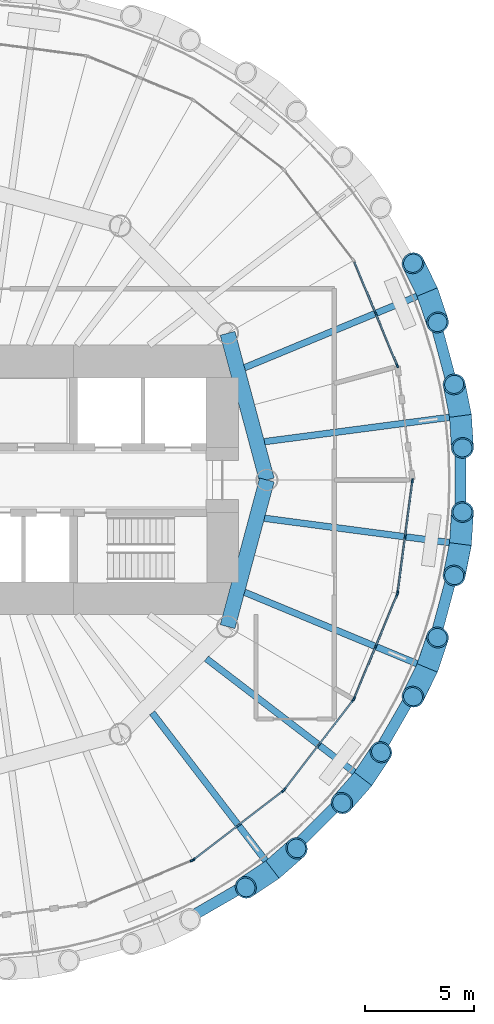
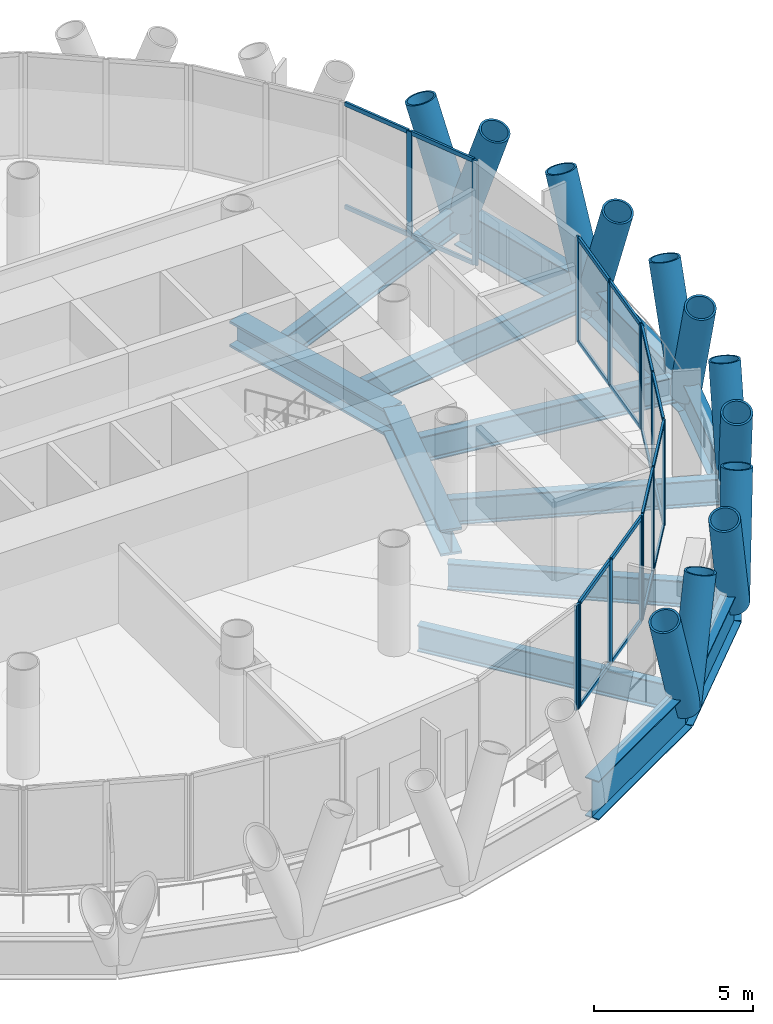
# One storey, part 4 of 13: 47 members, 14 beams, 6 elements without a shape of their own.
"""IFC4 building model written with IfcOpenShell, lengths in metres."""

from ifc_helpers import new_model, si_unit, direction, frame, origin, origin_2d, place, context, subcontext, project, spatial, rectangle, hollow_circle, i_section, extrude, material, material_profile, profile_set, type_object, element, aggregate, save


model = new_model("IFC4")

# Units and contexts
model_context = context("Model", 3, precision=1e-05, world=origin(), true_north=direction((0.0, 1.0)))
body_context = subcontext(model_context, "Body", "Model", "MODEL_VIEW")
ifc_project = project(units=[si_unit("LENGTHUNIT", "METRE"), si_unit("AREAUNIT", "SQUARE_METRE"), si_unit("VOLUMEUNIT", "CUBIC_METRE"), si_unit("PLANEANGLEUNIT", "RADIAN"), si_unit("MASSUNIT", "GRAM", prefix="KILO")], contexts=[model_context])

# Site, building, storey
site_placement = place(None, origin())
site = spatial("IfcSite", under=ifc_project, at=site_placement, CompositionType="ELEMENT")
building_placement = place(site_placement, origin())
building = spatial("IfcBuilding", under=site, at=building_placement, Name="Qaws Media Tower", CompositionType="ELEMENT")
storey_placement = place(building_placement, frame((0.0, 0.0, 219.199951171875)))
storey = spatial("IfcBuildingStorey", under=building, at=storey_placement, Name="L50", CompositionType="ELEMENT", Elevation=219.199951171875)

# Curtain wall, members
ifc_material_1 = material(Name="Aluminium and clear glass", Category="aluminium")
curtain_wall_type = type_object("IfcCurtainWallType", Name="Unitised curtain wall CW-C", PredefinedType="NOTDEFINED", material=ifc_material_1)
curtain_wall_1_placement = place(storey_placement, origin())
curtain_wall_1 = element("IfcCurtainWall", 1, at=curtain_wall_1_placement, inside=storey, type_object=curtain_wall_type, Name="CWC curtain wall L50-02", PredefinedType="NOTDEFINED")
ifc_material_2 = material(Name="Aluminium mullion", Category="aluminium")
ifc_material_profile_1 = material_profile(ifc_material_2, rectangle(XDim=0.080078125, YDim=0.199951171875, at=origin_2d()), Name="80x200")
ifc_profile_set_1 = profile_set([ifc_material_profile_1], Name="Aluminium mullion")
member_type_1 = type_object("IfcMemberType", Name="Curtain wall mullion 80x200", PredefinedType="MULLION", material=ifc_profile_set_1)
member_1_placement = place(storey_placement, frame((79.496337890625, 55.26513671875, 0.0), z_axis=(0.0, 0.0, 1.0), x_axis=(-0.923879493285, -0.382683527066, 0.0)))
member_1 = element("IfcMember", 2, at=member_1_placement, type_object=member_type_1, Name="CWC mullion 1", PredefinedType="MULLION", context=body_context, shape_type="SweptSolid", body=[
    extrude(rectangle(XDim=0.080078125, YDim=0.199951171875, at=origin_2d()), origin(), (0.0, 0.0, 1.0), 4.0400390625),
])
member_2_placement = place(storey_placement, frame((78.502685546875, 57.6640625, 0.0), z_axis=(0.0, 0.0, 1.0), x_axis=(-0.923879493285, -0.382683527066, 0.0)))
member_2 = element("IfcMember", 3, at=member_2_placement, type_object=member_type_1, Name="CWC mullion 2", PredefinedType="MULLION", context=body_context, shape_type="SweptSolid", body=[
    extrude(rectangle(XDim=0.080078125, YDim=0.199951171875, at=origin_2d()), origin(), (0.0, 0.0, 1.0), 4.0400390625),
])

# Curtain wall, member
curtain_wall_2_placement = place(storey_placement, origin())
curtain_wall_2 = element("IfcCurtainWall", 4, at=curtain_wall_2_placement, inside=storey, type_object=curtain_wall_type, Name="CWC curtain wall L50-20", PredefinedType="NOTDEFINED")
member_3_placement = place(storey_placement, frame((70.06298828125, 32.490966796875, 0.0), z_axis=(0.0, 0.0, 1.0), x_axis=(-0.382683527066, 0.923879493285, 0.0)))
member_3 = element("IfcMember", 5, at=member_3_placement, type_object=member_type_1, Name="CWC mullion 3", PredefinedType="MULLION", context=body_context, shape_type="SweptSolid", body=[
    extrude(rectangle(XDim=0.080078125, YDim=0.199951171875, at=origin_2d()), origin(), (0.0, 0.0, 1.0), 4.0400390625),
])
aggregate(curtain_wall_2, [member_3])

# Curtain wall, members
curtain_wall_3_placement = place(storey_placement, origin())
curtain_wall_3 = element("IfcCurtainWall", 6, at=curtain_wall_3_placement, inside=storey, type_object=curtain_wall_type, Name="CWC curtain wall L50-21", PredefinedType="NOTDEFINED")
member_4_placement = place(storey_placement, frame((70.1318359375, 32.530517578125, 0.0), z_axis=(0.0, 0.0, 1.0), x_axis=(-0.608761406106, 0.793353357865, 0.0)))
member_4 = element("IfcMember", 7, at=member_4_placement, type_object=member_type_1, Name="CWC mullion 1", PredefinedType="MULLION", context=body_context, shape_type="SweptSolid", body=[
    extrude(rectangle(XDim=0.080078125, YDim=0.199951171875, at=origin_2d()), origin(), (0.0, 0.0, 1.0), 4.0400390625),
])
member_5_placement = place(storey_placement, frame((72.19189453125, 34.111328125, 0.0), z_axis=(0.0, 0.0, 1.0), x_axis=(-0.608761406106, 0.793353357865, 0.0)))
member_5 = element("IfcMember", 8, at=member_5_placement, type_object=member_type_1, Name="CWC mullion 2", PredefinedType="MULLION", context=body_context, shape_type="SweptSolid", body=[
    extrude(rectangle(XDim=0.080078125, YDim=0.199951171875, at=origin_2d()), origin(), (0.0, 0.0, 1.0), 4.0400390625),
])
member_6_placement = place(storey_placement, frame((74.251708984375, 35.692138671875, 0.0), z_axis=(0.0, 0.0, 1.0), x_axis=(-0.608761406106, 0.793353357865, 0.0)))
member_6 = element("IfcMember", 9, at=member_6_placement, type_object=member_type_1, Name="CWC mullion 3", PredefinedType="MULLION", context=body_context, shape_type="SweptSolid", body=[
    extrude(rectangle(XDim=0.080078125, YDim=0.199951171875, at=origin_2d()), origin(), (0.0, 0.0, 1.0), 4.0400390625),
])

curtain_wall_4_placement = place(storey_placement, origin())
curtain_wall_4 = element("IfcCurtainWall", 10, at=curtain_wall_4_placement, inside=storey, type_object=curtain_wall_type, Name="CWC curtain wall L50-22", PredefinedType="NOTDEFINED")
member_7_placement = place(storey_placement, frame((74.307861328125, 35.748291015625, 0.0), z_axis=(0.0, 0.0, 1.0), x_axis=(-0.793353357865, 0.608761406106, 0.0)))
member_7 = element("IfcMember", 11, at=member_7_placement, type_object=member_type_1, Name="CWC mullion 1", PredefinedType="MULLION", context=body_context, shape_type="SweptSolid", body=[
    extrude(rectangle(XDim=0.080078125, YDim=0.199951171875, at=origin_2d()), origin(), (0.0, 0.0, 1.0), 4.0400390625),
])
member_8_placement = place(storey_placement, frame((75.888671875, 37.80810546875, 0.0), z_axis=(0.0, 0.0, 1.0), x_axis=(-0.793353357865, 0.608761406106, 0.0)))
member_8 = element("IfcMember", 12, at=member_8_placement, type_object=member_type_1, Name="CWC mullion 2", PredefinedType="MULLION", context=body_context, shape_type="SweptSolid", body=[
    extrude(rectangle(XDim=0.080078125, YDim=0.199951171875, at=origin_2d()), origin(), (0.0, 0.0, 1.0), 4.0400390625),
])
member_9_placement = place(storey_placement, frame((77.469482421875, 39.8681640625, 0.0), z_axis=(0.0, 0.0, 1.0), x_axis=(-0.793353357865, 0.608761406106, 0.0)))
member_9 = element("IfcMember", 13, at=member_9_placement, type_object=member_type_1, Name="CWC mullion 3", PredefinedType="MULLION", context=body_context, shape_type="SweptSolid", body=[
    extrude(rectangle(XDim=0.080078125, YDim=0.199951171875, at=origin_2d()), origin(), (0.0, 0.0, 1.0), 4.0400390625),
])

curtain_wall_5_placement = place(storey_placement, origin())
curtain_wall_5 = element("IfcCurtainWall", 14, at=curtain_wall_5_placement, inside=storey, type_object=curtain_wall_type, Name="CWC curtain wall L50-23", PredefinedType="NOTDEFINED")
member_10_placement = place(storey_placement, frame((77.509033203125, 39.93701171875, 0.0), z_axis=(0.0, 0.0, 1.0), x_axis=(-0.923879493285, 0.382683527066, 0.0)))
member_10 = element("IfcMember", 15, at=member_10_placement, type_object=member_type_1, Name="CWC mullion 1", PredefinedType="MULLION", context=body_context, shape_type="SweptSolid", body=[
    extrude(rectangle(XDim=0.080078125, YDim=0.199951171875, at=origin_2d()), origin(), (0.0, 0.0, 1.0), 4.0400390625),
])
member_11_placement = place(storey_placement, frame((78.502685546875, 42.3359375, 0.0), z_axis=(0.0, 0.0, 1.0), x_axis=(-0.923879493285, 0.382683527066, 0.0)))
member_11 = element("IfcMember", 16, at=member_11_placement, type_object=member_type_1, Name="CWC mullion 2", PredefinedType="MULLION", context=body_context, shape_type="SweptSolid", body=[
    extrude(rectangle(XDim=0.080078125, YDim=0.199951171875, at=origin_2d()), origin(), (0.0, 0.0, 1.0), 4.0400390625),
])
member_12_placement = place(storey_placement, frame((79.496337890625, 44.73486328125, 0.0), z_axis=(0.0, 0.0, 1.0), x_axis=(-0.923879493285, 0.382683527066, 0.0)))
member_12 = element("IfcMember", 17, at=member_12_placement, type_object=member_type_1, Name="CWC mullion 3", PredefinedType="MULLION", context=body_context, shape_type="SweptSolid", body=[
    extrude(rectangle(XDim=0.080078125, YDim=0.199951171875, at=origin_2d()), origin(), (0.0, 0.0, 1.0), 4.0400390625),
])

curtain_wall_6_placement = place(storey_placement, origin())
curtain_wall_6 = element("IfcCurtainWall", 18, at=curtain_wall_6_placement, inside=storey, type_object=curtain_wall_type, Name="CWC curtain wall L50-24", PredefinedType="NOTDEFINED")
member_13_placement = place(storey_placement, frame((79.516845703125, 44.8115234375, 0.0), z_axis=(0.0, 0.0, 1.0), x_axis=(-0.991444869889, 0.130526127538, 0.0)))
member_13 = element("IfcMember", 19, at=member_13_placement, type_object=member_type_1, Name="CWC mullion 1", PredefinedType="MULLION", context=body_context, shape_type="SweptSolid", body=[
    extrude(rectangle(XDim=0.080078125, YDim=0.199951171875, at=origin_2d()), origin(), (0.0, 0.0, 1.0), 4.0400390625),
])
member_14_placement = place(storey_placement, frame((79.85595703125, 47.385986328125, 0.0), z_axis=(0.0, 0.0, 1.0), x_axis=(-0.991444869889, 0.130526127538, 0.0)))
member_14 = element("IfcMember", 20, at=member_14_placement, type_object=member_type_1, Name="CWC mullion 2", PredefinedType="MULLION", context=body_context, shape_type="SweptSolid", body=[
    extrude(rectangle(XDim=0.080078125, YDim=0.199951171875, at=origin_2d()), origin(), (0.0, 0.0, 1.0), 4.0400390625),
])
member_15_placement = place(storey_placement, frame((80.19482421875, 49.96044921875, 0.0), z_axis=(0.0, 0.0, 1.0), x_axis=(-0.991444869889, 0.130526127538, 0.0)))
member_15 = element("IfcMember", 21, at=member_15_placement, type_object=member_type_1, Name="CWC mullion 3", PredefinedType="MULLION", context=body_context, shape_type="SweptSolid", body=[
    extrude(rectangle(XDim=0.080078125, YDim=0.199951171875, at=origin_2d()), origin(), (0.0, 0.0, 1.0), 4.0400390625),
])

# Member
ifc_material_3 = material(Name="Aluminium transom", Category="aluminium")
ifc_material_profile_2 = material_profile(ifc_material_3, rectangle(XDim=0.080078125, YDim=0.159912109375, at=origin_2d()), Name="80x160")
ifc_profile_set_2 = profile_set([ifc_material_profile_2], Name="Aluminium transom")
member_type_2 = type_object("IfcMemberType", Name="Curtain wall transom 80x160", PredefinedType="USERDEFINED", material=ifc_profile_set_2)
member_16_placement = place(storey_placement, frame((79.481201171875, 55.302001953125, 0.0400390625), z_axis=(-0.382685918986, 0.923878502515, 0.0), x_axis=(-0.923878502515, -0.382685918986, 0.0)))
member_16 = element("IfcMember", 22, at=member_16_placement, type_object=member_type_2, Name="CWC transom 1.1", ObjectType="TRANSOM", PredefinedType="USERDEFINED", context=body_context, shape_type="SweptSolid", body=[
    extrude(rectangle(XDim=0.080078125, YDim=0.159912109375, at=origin_2d()), origin(), (0.0, 0.0, 1.0), 2.516845703125),
])

member_17_placement = place(storey_placement, frame((79.481201171875, 55.302001953125, 4.0), z_axis=(-0.382685918986, 0.923878502515, 0.0), x_axis=(-0.923878502515, -0.382685918986, 0.0)))
member_17 = element("IfcMember", 23, at=member_17_placement, type_object=member_type_2, Name="CWC transom 1.2", ObjectType="TRANSOM", PredefinedType="USERDEFINED", context=body_context, shape_type="SweptSolid", body=[
    extrude(rectangle(XDim=0.080078125, YDim=0.159912109375, at=origin_2d()), origin(), (0.0, 0.0, 1.0), 2.516845703125),
])

member_18_placement = place(storey_placement, frame((78.4873046875, 57.700927734375, 0.0400390625), z_axis=(-0.382603115355, 0.923912796816, 0.0), x_axis=(-0.923912796816, -0.382603115355, 0.0)))
member_18 = element("IfcMember", 24, at=member_18_placement, type_object=member_type_2, Name="CWC transom 2.1", ObjectType="TRANSOM", PredefinedType="USERDEFINED", context=body_context, shape_type="SweptSolid", body=[
    extrude(rectangle(XDim=0.080078125, YDim=0.159912109375, at=origin_2d()), origin(), (0.0, 0.0, 1.0), 2.5166015625),
])

member_19_placement = place(storey_placement, frame((78.4873046875, 57.700927734375, 4.0), z_axis=(-0.382603115355, 0.923912796816, 0.0), x_axis=(-0.923912796816, -0.382603115355, 0.0)))
member_19 = element("IfcMember", 25, at=member_19_placement, type_object=member_type_2, Name="CWC transom 2.2", ObjectType="TRANSOM", PredefinedType="USERDEFINED", context=body_context, shape_type="SweptSolid", body=[
    extrude(rectangle(XDim=0.080078125, YDim=0.159912109375, at=origin_2d()), origin(), (0.0, 0.0, 1.0), 2.5166015625),
])

aggregate(curtain_wall_1, [member_1, member_2, member_16, member_17, member_18, member_19])

member_20_placement = place(storey_placement, frame((70.16357421875, 32.554931640625, 0.0400390625), z_axis=(0.793362715866, 0.608749210327, 0.0), x_axis=(-0.608749210327, 0.793362715866, 0.0)))
member_20 = element("IfcMember", 26, at=member_20_placement, type_object=member_type_2, Name="CWC transom 1.1", ObjectType="TRANSOM", PredefinedType="USERDEFINED", context=body_context, shape_type="SweptSolid", body=[
    extrude(rectangle(XDim=0.080078125, YDim=0.159912109375, at=origin_2d()), origin(), (0.0, 0.0, 1.0), 2.5166015625),
])

member_21_placement = place(storey_placement, frame((70.16357421875, 32.554931640625, 4.0), z_axis=(0.793362715866, 0.608749210327, 0.0), x_axis=(-0.608749210327, 0.793362715866, 0.0)))
member_21 = element("IfcMember", 27, at=member_21_placement, type_object=member_type_2, Name="CWC transom 1.2", ObjectType="TRANSOM", PredefinedType="USERDEFINED", context=body_context, shape_type="SweptSolid", body=[
    extrude(rectangle(XDim=0.080078125, YDim=0.159912109375, at=origin_2d()), origin(), (0.0, 0.0, 1.0), 2.5166015625),
])

member_22_placement = place(storey_placement, frame((72.2236328125, 34.1357421875, 0.0400390625), z_axis=(0.793326761499, 0.608796065599, 0.0), x_axis=(-0.608796065599, 0.793326761499, 0.0)))
member_22 = element("IfcMember", 28, at=member_22_placement, type_object=member_type_2, Name="CWC transom 2.1", ObjectType="TRANSOM", PredefinedType="USERDEFINED", context=body_context, shape_type="SweptSolid", body=[
    extrude(rectangle(XDim=0.080078125, YDim=0.159912109375, at=origin_2d()), origin(), (0.0, 0.0, 1.0), 2.516357421875),
])

member_23_placement = place(storey_placement, frame((72.2236328125, 34.1357421875, 4.0), z_axis=(0.793326761499, 0.608796065599, 0.0), x_axis=(-0.608796065599, 0.793326761499, 0.0)))
member_23 = element("IfcMember", 29, at=member_23_placement, type_object=member_type_2, Name="CWC transom 2.2", ObjectType="TRANSOM", PredefinedType="USERDEFINED", context=body_context, shape_type="SweptSolid", body=[
    extrude(rectangle(XDim=0.080078125, YDim=0.159912109375, at=origin_2d()), origin(), (0.0, 0.0, 1.0), 2.516357421875),
])

aggregate(curtain_wall_3, [member_4, member_5, member_6, member_20, member_21, member_22, member_23])

member_24_placement = place(storey_placement, frame((74.332275390625, 35.780029296875, 0.0400390625), z_axis=(0.608796065599, 0.793326761499, 0.0), x_axis=(-0.793326761499, 0.608796065599, 0.0)))
member_24 = element("IfcMember", 30, at=member_24_placement, type_object=member_type_2, Name="CWC transom 1.1", ObjectType="TRANSOM", PredefinedType="USERDEFINED", context=body_context, shape_type="SweptSolid", body=[
    extrude(rectangle(XDim=0.080078125, YDim=0.159912109375, at=origin_2d()), origin(), (0.0, 0.0, 1.0), 2.516357421875),
])

member_25_placement = place(storey_placement, frame((74.332275390625, 35.780029296875, 4.0), z_axis=(0.608796065599, 0.793326761499, 0.0), x_axis=(-0.793326761499, 0.608796065599, 0.0)))
member_25 = element("IfcMember", 31, at=member_25_placement, type_object=member_type_2, Name="CWC transom 1.2", ObjectType="TRANSOM", PredefinedType="USERDEFINED", context=body_context, shape_type="SweptSolid", body=[
    extrude(rectangle(XDim=0.080078125, YDim=0.159912109375, at=origin_2d()), origin(), (0.0, 0.0, 1.0), 2.516357421875),
])

member_26_placement = place(storey_placement, frame((75.9130859375, 37.83984375, 0.0400390625), z_axis=(0.608749210327, 0.793362715866, 0.0), x_axis=(-0.793362715866, 0.608749210327, 0.0)))
member_26 = element("IfcMember", 32, at=member_26_placement, type_object=member_type_2, Name="CWC transom 2.1", ObjectType="TRANSOM", PredefinedType="USERDEFINED", context=body_context, shape_type="SweptSolid", body=[
    extrude(rectangle(XDim=0.080078125, YDim=0.159912109375, at=origin_2d()), origin(), (0.0, 0.0, 1.0), 2.5166015625),
])

member_27_placement = place(storey_placement, frame((75.9130859375, 37.83984375, 4.0), z_axis=(0.608749210327, 0.793362715866, 0.0), x_axis=(-0.793362715866, 0.608749210327, 0.0)))
member_27 = element("IfcMember", 33, at=member_27_placement, type_object=member_type_2, Name="CWC transom 2.2", ObjectType="TRANSOM", PredefinedType="USERDEFINED", context=body_context, shape_type="SweptSolid", body=[
    extrude(rectangle(XDim=0.080078125, YDim=0.159912109375, at=origin_2d()), origin(), (0.0, 0.0, 1.0), 2.5166015625),
])

aggregate(curtain_wall_4, [member_7, member_8, member_9, member_24, member_25, member_26, member_27])

member_28_placement = place(storey_placement, frame((77.5244140625, 39.973876953125, 0.0400390625), z_axis=(0.382603115355, 0.923912796816, 0.0), x_axis=(-0.923912796816, 0.382603115355, 0.0)))
member_28 = element("IfcMember", 34, at=member_28_placement, type_object=member_type_2, Name="CWC transom 1.1", ObjectType="TRANSOM", PredefinedType="USERDEFINED", context=body_context, shape_type="SweptSolid", body=[
    extrude(rectangle(XDim=0.080078125, YDim=0.159912109375, at=origin_2d()), origin(), (0.0, 0.0, 1.0), 2.5166015625),
])

member_29_placement = place(storey_placement, frame((77.5244140625, 39.973876953125, 4.0), z_axis=(0.382603115355, 0.923912796816, 0.0), x_axis=(-0.923912796816, 0.382603115355, 0.0)))
member_29 = element("IfcMember", 35, at=member_29_placement, type_object=member_type_2, Name="CWC transom 1.2", ObjectType="TRANSOM", PredefinedType="USERDEFINED", context=body_context, shape_type="SweptSolid", body=[
    extrude(rectangle(XDim=0.080078125, YDim=0.159912109375, at=origin_2d()), origin(), (0.0, 0.0, 1.0), 2.5166015625),
])

member_30_placement = place(storey_placement, frame((78.51806640625, 42.372802734375, 0.0400390625), z_axis=(0.382685918986, 0.923878502515, 0.0), x_axis=(-0.923878502515, 0.382685918986, 0.0)))
member_30 = element("IfcMember", 36, at=member_30_placement, type_object=member_type_2, Name="CWC transom 2.1", ObjectType="TRANSOM", PredefinedType="USERDEFINED", context=body_context, shape_type="SweptSolid", body=[
    extrude(rectangle(XDim=0.080078125, YDim=0.159912109375, at=origin_2d()), origin(), (0.0, 0.0, 1.0), 2.516845703125),
])

member_31_placement = place(storey_placement, frame((78.51806640625, 42.372802734375, 4.0), z_axis=(0.382685918986, 0.923878502515, 0.0), x_axis=(-0.923878502515, 0.382685918986, 0.0)))
member_31 = element("IfcMember", 37, at=member_31_placement, type_object=member_type_2, Name="CWC transom 2.2", ObjectType="TRANSOM", PredefinedType="USERDEFINED", context=body_context, shape_type="SweptSolid", body=[
    extrude(rectangle(XDim=0.080078125, YDim=0.159912109375, at=origin_2d()), origin(), (0.0, 0.0, 1.0), 2.516845703125),
])

aggregate(curtain_wall_5, [member_10, member_11, member_12, member_28, member_29, member_30, member_31])

member_32_placement = place(storey_placement, frame((79.522216796875, 44.85107421875, 0.0400390625), z_axis=(0.130479607238, 0.99145099329, 0.0), x_axis=(-0.99145099329, 0.130479607238, 0.0)))
member_32 = element("IfcMember", 38, at=member_32_placement, type_object=member_type_2, Name="CWC transom 1.1", ObjectType="TRANSOM", PredefinedType="USERDEFINED", context=body_context, shape_type="SweptSolid", body=[
    extrude(rectangle(XDim=0.080078125, YDim=0.159912109375, at=origin_2d()), origin(), (0.0, 0.0, 1.0), 2.5166015625),
])

member_33_placement = place(storey_placement, frame((79.522216796875, 44.85107421875, 4.0), z_axis=(0.130479607238, 0.99145099329, 0.0), x_axis=(-0.99145099329, 0.130479607238, 0.0)))
member_33 = element("IfcMember", 39, at=member_33_placement, type_object=member_type_2, Name="CWC transom 1.2", ObjectType="TRANSOM", PredefinedType="USERDEFINED", context=body_context, shape_type="SweptSolid", body=[
    extrude(rectangle(XDim=0.080078125, YDim=0.159912109375, at=origin_2d()), origin(), (0.0, 0.0, 1.0), 2.5166015625),
])

member_34_placement = place(storey_placement, frame((79.861083984375, 47.425537109375, 0.0400390625), z_axis=(0.130479607238, 0.99145099329, 0.0), x_axis=(-0.99145099329, 0.130479607238, 0.0)))
member_34 = element("IfcMember", 40, at=member_34_placement, type_object=member_type_2, Name="CWC transom 2.1", ObjectType="TRANSOM", PredefinedType="USERDEFINED", context=body_context, shape_type="SweptSolid", body=[
    extrude(rectangle(XDim=0.080078125, YDim=0.159912109375, at=origin_2d()), origin(), (0.0, 0.0, 1.0), 2.5166015625),
])

member_35_placement = place(storey_placement, frame((79.861083984375, 47.425537109375, 4.0), z_axis=(0.130479607238, 0.99145099329, 0.0), x_axis=(-0.99145099329, 0.130479607238, 0.0)))
member_35 = element("IfcMember", 41, at=member_35_placement, type_object=member_type_2, Name="CWC transom 2.2", ObjectType="TRANSOM", PredefinedType="USERDEFINED", context=body_context, shape_type="SweptSolid", body=[
    extrude(rectangle(XDim=0.080078125, YDim=0.159912109375, at=origin_2d()), origin(), (0.0, 0.0, 1.0), 2.5166015625),
])

aggregate(curtain_wall_6, [member_13, member_14, member_15, member_32, member_33, member_34, member_35])

# Members
ifc_material_4 = material(Name="Steel S460", Category="steel")
ifc_material_profile_3 = material_profile(ifc_material_4, hollow_circle(Radius=0.508056640625, WallThickness=0.070068359375, at=origin_2d()), Name="CHS 1016x70")
ifc_profile_set_3 = profile_set([ifc_material_profile_3], Name="Steel S460")
member_type_3 = type_object("IfcMemberType", Name="Diagrid member CHS 1016x70", PredefinedType="USERDEFINED", material=ifc_profile_set_3)
for number, where, z_axis, x_axis, name in (
    (42, (82.40673828125, 52.949951171875, -0.909912109375), (-0.065142050269, 0.325490917844, 0.943298561267), (-0.980555253938, -0.196243201091, 0.0), "DG3 diagrid L50 A01"),
    (43, (82.40673828125, 52.949951171875, -0.909912109375), (0.02132987385, -0.331298451935, 0.943284883918), (0.997933857984, 0.064249631042, 0.0), "DG3 diagrid L50 B01"),
    (44, (80.879638671875, 58.648681640625, -0.909912109375), (-0.147170845427, 0.297576817485, 0.943286160161), (-0.896367681621, -0.44331137967, 0.0), "DG3 diagrid L50 A02"),
    (45, (80.879638671875, 58.648681640625, -0.909912109375), (0.106375727673, -0.314466390826, 0.943289506781), (0.947269973366, 0.320436573379, 0.0), "DG3 diagrid L50 B02"),
    (46, (73.758056640625, 32.0703125, -0.909912109375), (0.249328938977, 0.219115557544, 0.943304538646), (-0.660128730704, 0.751152487115, 0.0), "DG3 diagrid L50 A21"),
):
    element("IfcMember", number, at=place(storey_placement, frame(where, z_axis=z_axis, x_axis=x_axis)), inside=storey, type_object=member_type_3, Name=name, ObjectType="DIAGRID", PredefinedType="USERDEFINED", context=body_context, shape_type="SweptSolid", body=[
        extrude(hollow_circle(Radius=0.508056640625, WallThickness=0.070068359375, at=origin_2d()), origin(), (0.0, 0.0, 1.0), 4.452392578125),
    ])
for number, where, z_axis, x_axis, name in (
    (47, (73.758056640625, 32.0703125, -0.909912109375), (-0.27624353442, -0.184180633608, 0.943274617434), (0.554738307145, -0.832024885798, 0.0), "DG3 diagrid L50 B21"),
    (48, (77.9296875, 36.241943359375, -0.909912109375), (0.184180633608, 0.27624353442, 0.943274617434), (-0.832024885798, 0.554738307145, 0.0), "DG3 diagrid L50 A22"),
):
    element("IfcMember", number, at=place(storey_placement, frame(where, z_axis=z_axis, x_axis=x_axis)), inside=storey, type_object=member_type_3, Name=name, ObjectType="DIAGRID", PredefinedType="USERDEFINED", context=body_context, shape_type="SweptSolid", body=[
        extrude(hollow_circle(Radius=0.508056640625, WallThickness=0.070068359375, at=origin_2d()), origin(), (0.0, 0.0, 1.0), 4.45263671875),
    ])
for number, where, z_axis, x_axis, name in (
    (49, (77.9296875, 36.241943359375, -0.909912109375), (-0.219115557544, -0.249328938977, 0.943304538646), (0.751152487115, -0.660128730704, 0.0), "DG3 diagrid L50 B22"),
    (50, (80.879638671875, 41.351318359375, -0.909912109375), (0.106375727673, 0.314466390826, 0.943289506781), (-0.947269973366, 0.320436573379, 0.0), "DG3 diagrid L50 A23"),
    (51, (80.879638671875, 41.351318359375, -0.909912109375), (-0.147170845427, -0.297576817485, 0.943286160161), (0.896367681621, -0.44331137967, 0.0), "DG3 diagrid L50 B23"),
    (52, (82.40673828125, 47.050048828125, -0.909912109375), (0.02132987385, 0.331298451935, 0.943284883918), (-0.997933857984, 0.064249631042, 0.0), "DG3 diagrid L50 A24"),
    (53, (82.40673828125, 47.050048828125, -0.909912109375), (-0.065142050269, -0.325490917844, 0.943298561267), (0.980555253938, -0.196243201091, 0.0), "DG3 diagrid L50 B24"),
):
    element("IfcMember", number, at=place(storey_placement, frame(where, z_axis=z_axis, x_axis=x_axis)), inside=storey, type_object=member_type_3, Name=name, ObjectType="DIAGRID", PredefinedType="USERDEFINED", context=body_context, shape_type="SweptSolid", body=[
        extrude(hollow_circle(Radius=0.508056640625, WallThickness=0.070068359375, at=origin_2d()), origin(), (0.0, 0.0, 1.0), 4.452392578125),
    ])

# Beams
ifc_material_5 = material(Name="Steel S460", Category="steel")
ifc_material_profile_4 = material_profile(ifc_material_5, i_section(OverallWidth=0.5, OverallDepth=1.5, WebThickness=0.02001953125, FlangeThickness=0.0400390625, at=origin_2d()), Name="PG 1500x500")
ifc_profile_set_4 = profile_set([ifc_material_profile_4], Name="Steel S460")
beam_type_1 = type_object("IfcBeamType", Name="Edge ring beam PG 1500x500", PredefinedType="BEAM", material=ifc_profile_set_4)
for number, where, z_axis, x_axis, name in (
    (54, (82.40673828125, 52.949951171875, -0.909912109375), (-0.258839506001, 0.965920343576, 0.0), (-0.965920343576, -0.258839506001, 0.0), "RB4 edge ring beam L50-01"),
    (55, (68.648681640625, 29.120361328125, -0.909912109375), (0.86602157697, 0.500006628179, 0.0), (-0.500006628179, 0.86602157697, 0.0), "RB4 edge ring beam L50-20"),
):
    element("IfcBeam", number, at=place(storey_placement, frame(where, z_axis=z_axis, x_axis=x_axis)), inside=storey, type_object=beam_type_1, Name=name, PredefinedType="BEAM", context=body_context, shape_type="SweptSolid", body=[
        extrude(i_section(OverallWidth=0.5, OverallDepth=1.5, WebThickness=0.02001953125, FlangeThickness=0.0400390625, at=origin_2d()), origin(), (0.0, 0.0, 1.0), 5.89990234375),
    ])
beam_1_placement = place(storey_placement, frame((73.758056640625, 32.0703125, -0.909912109375), z_axis=(0.707106781187, 0.707106781187, 0.0), x_axis=(-0.707106781187, 0.707106781187, 0.0)))
element("IfcBeam", 56, at=beam_1_placement, inside=storey, type_object=beam_type_1, Name="RB4 edge ring beam L50-21", PredefinedType="BEAM", context=body_context, shape_type="SweptSolid", body=[
    extrude(i_section(OverallWidth=0.5, OverallDepth=1.5, WebThickness=0.02001953125, FlangeThickness=0.0400390625, at=origin_2d()), origin(), (0.0, 0.0, 1.0), 5.899658203125),
])
for number, where, z_axis, x_axis, name in (
    (57, (77.9296875, 36.241943359375, -0.909912109375), (0.500006628179, 0.86602157697, 0.0), (-0.86602157697, 0.500006628179, 0.0), "RB4 edge ring beam L50-22"),
    (58, (80.879638671875, 41.351318359375, -0.909912109375), (0.258839506001, 0.965920343576, 0.0), (-0.965920343576, 0.258839506001, 0.0), "RB4 edge ring beam L50-23"),
    (59, (82.40673828125, 47.050048828125, -0.909912109375), (0.0, 1.0, 0.0), (-1.0, 0.0, 0.0), "RB4 edge ring beam L50-24"),
):
    element("IfcBeam", number, at=place(storey_placement, frame(where, z_axis=z_axis, x_axis=x_axis)), inside=storey, type_object=beam_type_1, Name=name, PredefinedType="BEAM", context=body_context, shape_type="SweptSolid", body=[
        extrude(i_section(OverallWidth=0.5, OverallDepth=1.5, WebThickness=0.02001953125, FlangeThickness=0.0400390625, at=origin_2d()), origin(), (0.0, 0.0, 1.0), 5.89990234375),
    ])
ifc_material_6 = material(Name="Steel S460", Category="steel")
ifc_material_profile_5 = material_profile(ifc_material_6, i_section(OverallWidth=0.699951171875, OverallDepth=1.0, WebThickness=0.034912109375, FlangeThickness=0.090087890625, at=origin_2d()), Name="PG 1000x700")
ifc_profile_set_5 = profile_set([ifc_material_profile_5], Name="Steel S460")
beam_type_2 = type_object("IfcBeamType", Name="Inner ring girder PG 1000x700", PredefinedType="BEAM", material=ifc_profile_set_5)
for number, where, z_axis, x_axis, name in (
    (60, (73.5, 50.0, -0.659912109375), (-0.258810593767, 0.965928090778, 0.0), (-0.965928090778, -0.258810593767, 0.0), "B3 inner ring beam L50 I01-I02"),
    (61, (71.69140625, 43.25, -0.659912109375), (0.258810593767, 0.965928090778, 0.0), (-0.965928090778, 0.258810593767, 0.0), "B3 inner ring beam L50 I12-I01"),
):
    element("IfcBeam", number, at=place(storey_placement, frame(where, z_axis=z_axis, x_axis=x_axis)), inside=storey, type_object=beam_type_2, Name=name, PredefinedType="BEAM", context=body_context, shape_type="SweptSolid", body=[
        extrude(i_section(OverallWidth=0.699951171875, OverallDepth=1.0, WebThickness=0.034912109375, FlangeThickness=0.090087890625, at=origin_2d()), origin(), (0.0, 0.0, 1.0), 6.988037109375),
    ])
ifc_material_7 = material(Name="Steel S355", Category="steel")
ifc_material_profile_6 = material_profile(ifc_material_7, i_section(OverallWidth=0.302001953125, OverallDepth=1.008056640625, WebThickness=0.02099609375, FlangeThickness=0.0400390625, FilletRadius=0.030029296875, at=origin_2d()), Name="HE 1000 M")
ifc_profile_set_6 = profile_set([ifc_material_profile_6], Name="Steel S355")
beam_type_3 = type_object("IfcBeamType", Name="Radial beam HE 1000 M", PredefinedType="BEAM", material=ifc_profile_set_6)
beam_2_placement = place(storey_placement, frame((73.389892578125, 51.762939453125, -0.6640625), z_axis=(0.991445978877, 0.130517703661, 0.0), x_axis=(-0.130517703661, 0.991445978877, 0.0)))
element("IfcBeam", 62, at=beam_2_placement, inside=storey, type_object=beam_type_3, Name="B1 radial beam L50 01", PredefinedType="BEAM", context=body_context, shape_type="SweptSolid", body=[
    extrude(i_section(OverallWidth=0.302001953125, OverallDepth=1.008056640625, WebThickness=0.02099609375, FlangeThickness=0.0400390625, FilletRadius=0.030029296875, at=origin_2d()), origin(), (0.0, 0.0, 1.0), 9.0947265625),
])
beam_3_placement = place(storey_placement, frame((72.4775390625, 55.16845703125, -0.6640625), z_axis=(0.923881048722, 0.382679771888, 0.0), x_axis=(-0.382679771888, 0.923881048722, 0.0)))
element("IfcBeam", 63, at=beam_3_placement, inside=storey, type_object=beam_type_3, Name="B1 radial beam L50 02", PredefinedType="BEAM", context=body_context, shape_type="SweptSolid", body=[
    extrude(i_section(OverallWidth=0.302001953125, OverallDepth=1.008056640625, WebThickness=0.02099609375, FlangeThickness=0.0400390625, FilletRadius=0.030029296875, at=origin_2d()), origin(), (0.0, 0.0, 1.0), 9.09423828125),
])
for number, where, z_axis, x_axis, name in (
    (64, (68.2216796875, 39.285400390625, -0.6640625), (0.608764563717, -0.793350934935, 0.0), (0.793350934935, 0.608764563717, 0.0), "B1 radial beam L50 21"),
    (65, (70.714599609375, 41.7783203125, -0.6640625), (0.793350934935, -0.608764563717, 0.0), (0.608764563717, 0.793350934935, 0.0), "B1 radial beam L50 22"),
):
    element("IfcBeam", number, at=place(storey_placement, frame(where, z_axis=z_axis, x_axis=x_axis)), inside=storey, type_object=beam_type_3, Name=name, PredefinedType="BEAM", context=body_context, shape_type="SweptSolid", body=[
        extrude(i_section(OverallWidth=0.302001953125, OverallDepth=1.008056640625, WebThickness=0.02099609375, FlangeThickness=0.0400390625, FilletRadius=0.030029296875, at=origin_2d()), origin(), (0.0, 0.0, 1.0), 9.094482421875),
    ])
beam_4_placement = place(storey_placement, frame((72.4775390625, 44.83154296875, -0.6640625), z_axis=(0.923881048722, -0.382679771888, 0.0), x_axis=(0.382679771888, 0.923881048722, 0.0)))
element("IfcBeam", 66, at=beam_4_placement, inside=storey, type_object=beam_type_3, Name="B1 radial beam L50 23", PredefinedType="BEAM", context=body_context, shape_type="SweptSolid", body=[
    extrude(i_section(OverallWidth=0.302001953125, OverallDepth=1.008056640625, WebThickness=0.02099609375, FlangeThickness=0.0400390625, FilletRadius=0.030029296875, at=origin_2d()), origin(), (0.0, 0.0, 1.0), 9.09423828125),
])
beam_5_placement = place(storey_placement, frame((73.389892578125, 48.237060546875, -0.6640625), z_axis=(0.991445978877, -0.130517703661, 0.0), x_axis=(0.130517703661, 0.991445978877, 0.0)))
element("IfcBeam", 67, at=beam_5_placement, inside=storey, type_object=beam_type_3, Name="B1 radial beam L50 24", PredefinedType="BEAM", context=body_context, shape_type="SweptSolid", body=[
    extrude(i_section(OverallWidth=0.302001953125, OverallDepth=1.008056640625, WebThickness=0.02099609375, FlangeThickness=0.0400390625, FilletRadius=0.030029296875, at=origin_2d()), origin(), (0.0, 0.0, 1.0), 9.0947265625),
])

save(model, "model.ifc")
